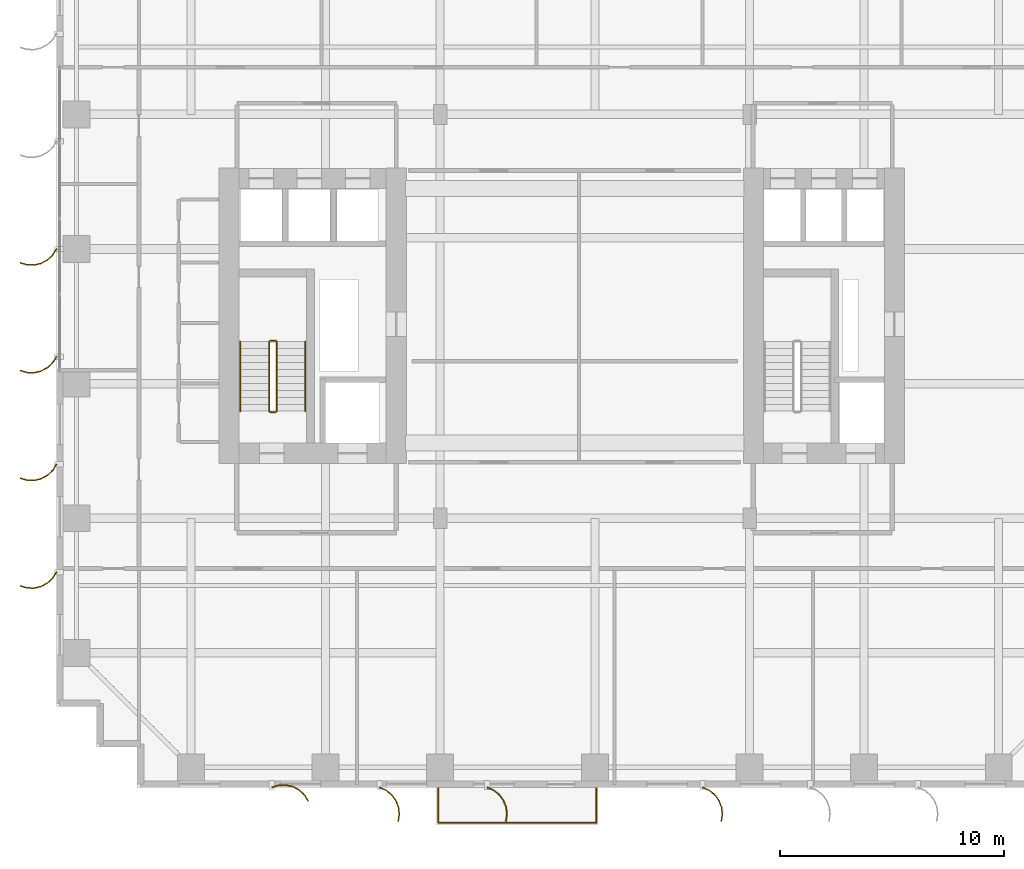
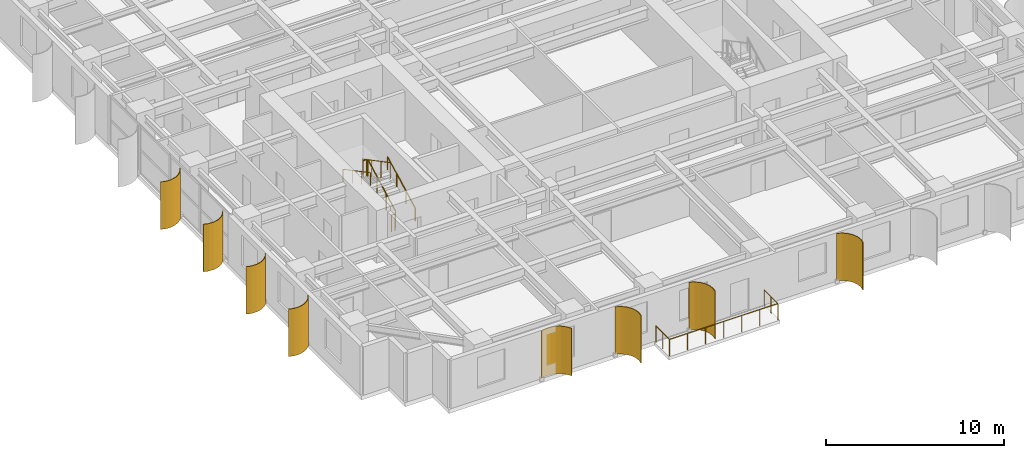
# One storey, part 13 of 16: 8 shading devices, 7 railings.
"""IFC4 building model written with IfcOpenShell, lengths in metres."""

from ifc_helpers import new_model, si_unit, direction, frame, origin, origin_2d, place, context, subcontext, project, spatial, polyline, circle, outline, extrude, source, transform, mapped, material, layer, layer_set, type_object, element, save


model = new_model("IFC4")

# Units and contexts
model_context = context("Model", 3, precision=1e-05, world=origin(), true_north=direction((0.0, 1.0)))
body_context = subcontext(model_context, "Body", "Model", "MODEL_VIEW")
ifc_project = project(units=[si_unit("LENGTHUNIT", "METRE"), si_unit("AREAUNIT", "SQUARE_METRE"), si_unit("VOLUMEUNIT", "CUBIC_METRE"), si_unit("PLANEANGLEUNIT", "RADIAN"), si_unit("MASSUNIT", "GRAM", prefix="KILO")], contexts=[model_context])

# Site, building, storey
site_placement = place(None, origin())
site = spatial("IfcSite", under=ifc_project, at=site_placement, CompositionType="ELEMENT")
building_placement = place(site_placement, origin())
building = spatial("IfcBuilding", under=site, at=building_placement, Name="Khoralis Quay Care Tower", CompositionType="ELEMENT")
storey_placement = place(building_placement, frame((0.0, 0.0, 29.699951171875)))
storey = spatial("IfcBuildingStorey", under=building, at=storey_placement, Name="L07", CompositionType="ELEMENT", Elevation=29.699951171875)

# Railings
ifc_material_1 = material(Name="Pale anodised aluminium", Category="aluminium")
railing_type_1 = type_object("IfcRailingType", Name="RL-BALUST-1150", PredefinedType="BALUSTRADE", material=ifc_material_1)
railing_1_placement = place(storey_placement, frame((17.030029296875, -0.0400390625, -0.06005859375)))
element("IfcRailing", 1, at=railing_1_placement, inside=storey, type_object=railing_type_1, Name="L07 Senior Loggia Balcony Guard", PredefinedType="BALUSTRADE", context=body_context, shape_type="SweptSolid", body=[
    extrude(circle(Radius=0.02392578125, at=origin_2d()), frame((0.0, 0.0, 1.1259765625), z_axis=(0.0, -1.0, 0.0), x_axis=(1.0, 0.0, 0.0)), (0.0, 0.0, 1.0), 1.530029296875),
    extrude(circle(Radius=0.02392578125, at=origin_2d()), frame((0.0, -1.530029296875, 1.1259765625), z_axis=(1.0, 0.0, 0.0), x_axis=(0.0, 1.0, 0.0)), (0.0, 0.0, 1.0), 7.0400390625),
    extrude(circle(Radius=0.02392578125, at=origin_2d()), frame((7.0400390625, -1.530029296875, 1.1259765625), z_axis=(0.0, 1.0, 0.0), x_axis=(-1.0, 0.0, 0.0)), (0.0, 0.0, 1.0), 1.530029296875),
    extrude(circle(Radius=0.02099609375, at=origin_2d()), origin(), (0.0, 0.0, 1.0), 1.101806640625),
    extrude(circle(Radius=0.02099609375, at=origin_2d()), frame((0.0, -0.76513671875, 0.0)), (0.0, 0.0, 1.0), 1.101806640625),
    extrude(circle(Radius=0.02099609375, at=origin_2d()), frame((0.0, -1.530029296875, 0.0)), (0.0, 0.0, 1.0), 1.101806640625),
    extrude(circle(Radius=0.02099609375, at=origin_2d()), frame((1.17333984375, -1.530029296875, 0.0)), (0.0, 0.0, 1.0), 1.101806640625),
    extrude(circle(Radius=0.02099609375, at=origin_2d()), frame((2.3466796875, -1.530029296875, 0.0)), (0.0, 0.0, 1.0), 1.101806640625),
    extrude(circle(Radius=0.02099609375, at=origin_2d()), frame((3.52001953125, -1.530029296875, 0.0)), (0.0, 0.0, 1.0), 1.101806640625),
    extrude(circle(Radius=0.02099609375, at=origin_2d()), frame((4.693359375, -1.530029296875, 0.0)), (0.0, 0.0, 1.0), 1.101806640625),
    extrude(circle(Radius=0.02099609375, at=origin_2d()), frame((5.86669921875, -1.530029296875, 0.0)), (0.0, 0.0, 1.0), 1.101806640625),
    extrude(circle(Radius=0.02099609375, at=origin_2d()), frame((7.0400390625, -1.530029296875, 0.0)), (0.0, 0.0, 1.0), 1.101806640625),
    extrude(circle(Radius=0.02099609375, at=origin_2d()), frame((7.0400390625, -0.76513671875, 0.0)), (0.0, 0.0, 1.0), 1.101806640625),
    extrude(circle(Radius=0.02099609375, at=origin_2d()), frame((7.0400390625, 0.0, 0.0)), (0.0, 0.0, 1.0), 1.101806640625),
])
ifc_material_2 = material(Name="Brushed stainless steel", Category="steel")
railing_type_2 = type_object("IfcRailingType", Name="RL-GUARD-1150", PredefinedType="GUARDRAIL", material=ifc_material_2)
railing_2_placement = place(storey_placement, frame((9.820068359375, 16.77001953125, 0.16357421875)))
element("IfcRailing", 2, at=railing_2_placement, inside=storey, type_object=railing_type_2, Name="L07 ST-T1 stair guard 1", PredefinedType="GUARDRAIL", context=body_context, shape_type="SweptSolid", body=[
    extrude(circle(Radius=0.02392578125, at=origin_2d()), frame((0.0, 0.0, 1.1259765625), z_axis=(0.0, 0.884348015382, 0.466828220752), x_axis=(-1.0, 0.0, 0.0)), (0.0, 0.0, 1.0), 3.505615234375),
    extrude(circle(Radius=0.02099609375, at=origin_2d()), origin(), (0.0, 0.0, 1.0), 1.101806640625),
    extrude(circle(Radius=0.02099609375, at=origin_2d()), frame((0.0, 1.033447265625, 0.54541015625)), (0.0, 0.0, 1.0), 1.101806640625),
    extrude(circle(Radius=0.02099609375, at=origin_2d()), frame((0.0, 2.066650390625, 1.091064453125)), (0.0, 0.0, 1.0), 1.101806640625),
    extrude(circle(Radius=0.02099609375, at=origin_2d()), frame((0.0, 3.10009765625, 1.636474609375)), (0.0, 0.0, 1.0), 1.101806640625),
])
railing_3_placement = place(storey_placement, frame((9.77001953125, 19.919921875, 1.800048828125)))
element("IfcRailing", 3, at=railing_3_placement, inside=storey, type_object=railing_type_2, Name="L07 ST-T1 stair guard 2", PredefinedType="GUARDRAIL", context=body_context, shape_type="SweptSolid", body=[
    extrude(circle(Radius=0.02392578125, at=origin_2d()), frame((0.0, 0.0, 1.1259765625), z_axis=(-1.0, 0.0, 0.0), x_axis=(0.0, -1.0, 0.0)), (0.0, 0.0, 1.0), 0.239990234375),
    extrude(circle(Radius=0.02099609375, at=origin_2d()), origin(), (0.0, 0.0, 1.0), 1.101806640625),
    extrude(circle(Radius=0.02099609375, at=origin_2d()), frame((-0.239990234375, 0.0, 0.0)), (0.0, 0.0, 1.0), 1.101806640625),
])
railing_4_placement = place(storey_placement, frame((9.47998046875, 19.8701171875, 1.963623046875)))
element("IfcRailing", 4, at=railing_4_placement, inside=storey, type_object=railing_type_2, Name="L07 ST-T1 stair guard 3", PredefinedType="GUARDRAIL", context=body_context, shape_type="SweptSolid", body=[
    extrude(circle(Radius=0.02392578125, at=origin_2d()), frame((0.0, 0.0, 1.1259765625), z_axis=(0.0, -0.884348015382, 0.466828220752), x_axis=(1.0, 0.0, 0.0)), (0.0, 0.0, 1.0), 3.505615234375),
    extrude(circle(Radius=0.02099609375, at=origin_2d()), origin(), (0.0, 0.0, 1.0), 1.101806640625),
    extrude(circle(Radius=0.02099609375, at=origin_2d()), frame((0.0, -1.033447265625, 0.54541015625)), (0.0, 0.0, 1.0), 1.101806640625),
    extrude(circle(Radius=0.02099609375, at=origin_2d()), frame((0.0, -2.066650390625, 1.091064453125)), (0.0, 0.0, 1.0), 1.101806640625),
    extrude(circle(Radius=0.02099609375, at=origin_2d()), frame((0.0, -3.10009765625, 1.636474609375)), (0.0, 0.0, 1.0), 1.101806640625),
])
railing_5_placement = place(storey_placement, frame((9.77001953125, 16.719970703125, 0.0)))
element("IfcRailing", 5, at=railing_5_placement, inside=storey, type_object=railing_type_2, Name="L07 ST-T1 stair guard 4", PredefinedType="GUARDRAIL", context=body_context, shape_type="SweptSolid", body=[
    extrude(circle(Radius=0.02392578125, at=origin_2d()), frame((0.0, 0.0, 1.1259765625), z_axis=(-1.0, 0.0, 0.0), x_axis=(0.0, -1.0, 0.0)), (0.0, 0.0, 1.0), 0.239990234375),
    extrude(circle(Radius=0.02099609375, at=origin_2d()), origin(), (0.0, 0.0, 1.0), 1.101806640625),
    extrude(circle(Radius=0.02099609375, at=origin_2d()), frame((-0.239990234375, 0.0, 0.0)), (0.0, 0.0, 1.0), 1.101806640625),
])
railing_type_3 = type_object("IfcRailingType", Name="RL-HAND-900", PredefinedType="HANDRAIL", material=ifc_material_2)
railing_6_placement = place(storey_placement, frame((11.10009765625, 16.77001953125, 0.16357421875)))
element("IfcRailing", 6, at=railing_6_placement, inside=storey, type_object=railing_type_3, Name="L07 ST-T1 stair handrail 1", PredefinedType="HANDRAIL", context=body_context, shape_type="SweptSolid", body=[
    extrude(circle(Radius=0.02392578125, at=origin_2d()), frame((0.0, 0.0, 0.8759765625), z_axis=(0.0, 0.884348015382, 0.466828220752), x_axis=(-1.0, 0.0, 0.0)), (0.0, 0.0, 1.0), 3.505615234375),
    extrude(circle(Radius=0.02099609375, at=origin_2d()), origin(), (0.0, 0.0, 1.0), 0.851806640625),
    extrude(circle(Radius=0.02099609375, at=origin_2d()), frame((0.0, 1.033447265625, 0.54541015625)), (0.0, 0.0, 1.0), 0.851806640625),
    extrude(circle(Radius=0.02099609375, at=origin_2d()), frame((0.0, 2.066650390625, 1.091064453125)), (0.0, 0.0, 1.0), 0.851806640625),
    extrude(circle(Radius=0.02099609375, at=origin_2d()), frame((0.0, 3.10009765625, 1.636474609375)), (0.0, 0.0, 1.0), 0.851806640625),
])
railing_7_placement = place(storey_placement, frame((8.199951171875, 19.8701171875, 1.963623046875)))
element("IfcRailing", 7, at=railing_7_placement, inside=storey, type_object=railing_type_3, Name="L07 ST-T1 stair handrail 2", PredefinedType="HANDRAIL", context=body_context, shape_type="SweptSolid", body=[
    extrude(circle(Radius=0.02392578125, at=origin_2d()), frame((0.0, 0.0, 0.8759765625), z_axis=(0.0, -0.884348015382, 0.466828220752), x_axis=(1.0, 0.0, 0.0)), (0.0, 0.0, 1.0), 3.505615234375),
    extrude(circle(Radius=0.02099609375, at=origin_2d()), origin(), (0.0, 0.0, 1.0), 0.851806640625),
    extrude(circle(Radius=0.02099609375, at=origin_2d()), frame((0.0, -1.033447265625, 0.54541015625)), (0.0, 0.0, 1.0), 0.851806640625),
    extrude(circle(Radius=0.02099609375, at=origin_2d()), frame((0.0, -2.066650390625, 1.091064453125)), (0.0, 0.0, 1.0), 0.851806640625),
    extrude(circle(Radius=0.02099609375, at=origin_2d()), frame((0.0, -3.10009765625, 1.636474609375)), (0.0, 0.0, 1.0), 0.851806640625),
])

# Shading devices
ifc_material_3 = material(Name="Brushed pale anodised aluminium", Category="aluminium")
ifc_layer = layer(ifc_material_3, 0.044921875)
ifc_layer_set = layer_set([ifc_layer], Name="Brushed pale anodised aluminium")
shading_device_type = type_object("IfcShadingDeviceType", Name="SHD-FIN-1250", PredefinedType="USERDEFINED", material=ifc_layer_set)
shared_shape_1 = source(origin(), body_context, "Body", "SweptSolid", [
    extrude(outline(polyline([(0.0, 0.0), (0.130126953125, 0.29931640625), (0.333251953125, 0.5546875), (0.595458984375, 0.748779296875), (0.899169921875, 0.868408203125), (1.223388671875, 0.9052734375), (1.546142578125, 0.85693359375), (1.53369140625, 0.813720703125), (1.22265625, 0.8603515625), (0.91015625, 0.82470703125), (0.617431640625, 0.70947265625), (0.364501953125, 0.522216796875), (0.168701171875, 0.276123046875), (0.043212890625, -0.012451171875), (0.0, 0.0)])), origin(), (0.0, 0.0, 1.0), 3.260009765625),
])
for number, where, z_axis, x_axis, name in (
    (8, (14.39990234375, 0.030029296875, 0.02001953125), (0.0, 0.0, 1.0), (0.0, -1.0, 0.0), "L07 Curved Solar Fin P1E0-02"),
    (9, (19.199951171875, 0.030029296875, 0.02001953125), (0.0, 0.0, 1.0), (0.0, -1.0, 0.0), "L07 Curved Solar Fin P1E0-03"),
    (10, (28.800048828125, 0.030029296875, 0.02001953125), (0.0, 0.0, 1.0), (0.0, -1.0, 0.0), "L07 Curved Solar Fin P1E0-05"),
):
    element("IfcShadingDevice", number, at=place(storey_placement, frame(where, z_axis=z_axis, x_axis=x_axis)), inside=storey, type_object=shading_device_type, Name=name, ObjectType="FIN", PredefinedType="USERDEFINED", context=body_context, shape_type="MappedRepresentation", body=[
        mapped(shared_shape_1, transform((0.0, 0.0, 0.0), scale=1.0)),
    ])
shared_shape_2 = source(origin(), body_context, "Body", "SweptSolid", [
    extrude(outline(polyline([(0.0, 0.0), (0.17041015625, 0.2783203125), (0.4072265625, 0.5029296875), (0.694091796875, 0.658447265625), (1.01123046875, 0.734619140625), (1.33740234375, 0.72607421875), (1.650390625, 0.633544921875), (1.632080078125, 0.59228515625), (1.330322265625, 0.681640625), (1.015869140625, 0.68994140625), (0.710205078125, 0.616455078125), (0.43359375, 0.466552734375), (0.20556640625, 0.25), (0.041015625, -0.018310546875), (0.0, 0.0)])), origin(), (0.0, 0.0, 1.0), 3.260009765625),
])
for number, where, z_axis, x_axis, name in (
    (11, (0.030029296875, 24.0, 0.02001953125), (0.0, 0.0, 1.0), (-1.0, 0.0, 0.0), "L07 Curved Solar Fin P1E15-04"),
    (12, (0.030029296875, 19.199951171875, 0.02001953125), (0.0, 0.0, 1.0), (-1.0, 0.0, 0.0), "L07 Curved Solar Fin P1E15-05"),
    (13, (0.030029296875, 14.39990234375, 0.02001953125), (0.0, 0.0, 1.0), (-1.0, 0.0, 0.0), "L07 Curved Solar Fin P1E15-06"),
    (14, (0.030029296875, 9.60009765625, 0.02001953125), (0.0, 0.0, 1.0), (-1.0, 0.0, 0.0), "L07 Curved Solar Fin P1E15-07"),
):
    element("IfcShadingDevice", number, at=place(storey_placement, frame(where, z_axis=z_axis, x_axis=x_axis)), inside=storey, type_object=shading_device_type, Name=name, ObjectType="FIN", PredefinedType="USERDEFINED", context=body_context, shape_type="MappedRepresentation", body=[
        mapped(shared_shape_2, transform((0.0, 0.0, 0.0), scale=1.0)),
    ])
shared_shape_3 = source(origin(), body_context, "Body", "SweptSolid", [
    extrude(outline(polyline([(0.0, 0.0), (-0.0927734375, 0.31298828125), (-0.101318359375, 0.63916015625), (-0.025146484375, 0.956298828125), (0.130615234375, 1.2431640625), (0.355224609375, 1.479736328125), (0.633544921875, 1.650390625), (0.65185546875, 1.609130859375), (0.383544921875, 1.44482421875), (0.1669921875, 1.216796875), (0.01708984375, 0.940185546875), (-0.056396484375, 0.63427734375), (-0.04833984375, 0.31982421875), (0.041015625, 0.018310546875), (0.0, 0.0)])), origin(), (0.0, 0.0, 1.0), 3.260009765625),
])
shading_device_placement = place(storey_placement, frame((9.60009765625, 0.030029296875, 0.02001953125), z_axis=(0.0, 0.0, 1.0), x_axis=(0.0, -1.0, 0.0)))
element("IfcShadingDevice", 15, at=shading_device_placement, inside=storey, type_object=shading_device_type, Name="L07 Curved Solar Fin P1E0-01", ObjectType="FIN", PredefinedType="USERDEFINED", context=body_context, shape_type="MappedRepresentation", body=[
    mapped(shared_shape_3, transform((0.0, 0.0, 0.0), scale=1.0)),
])

save(model, "model.ifc")
